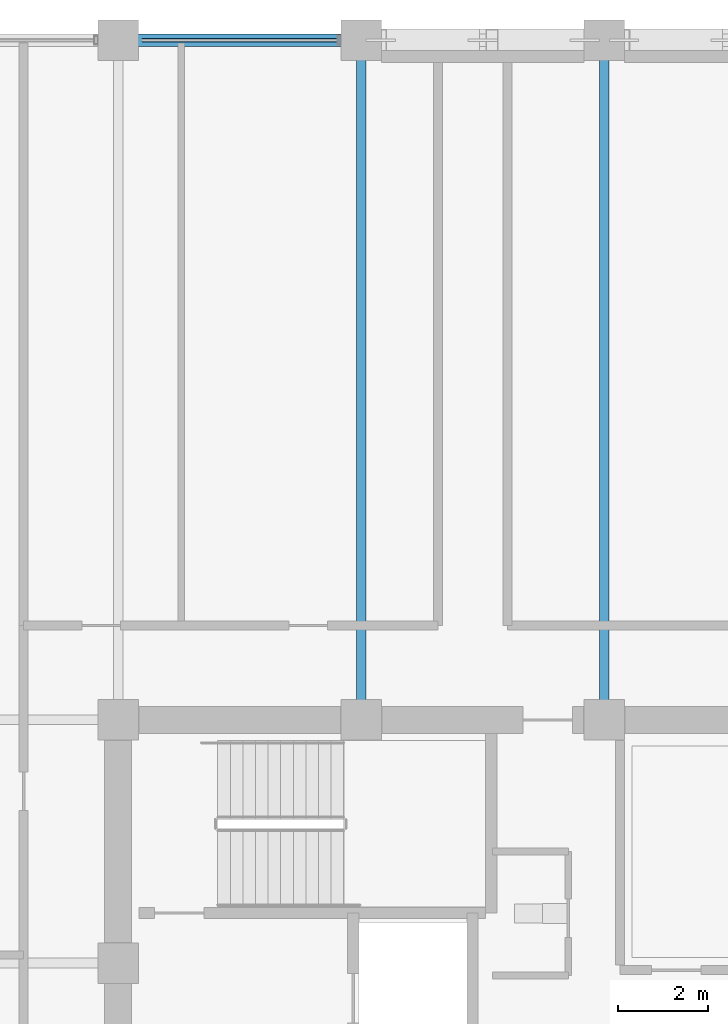
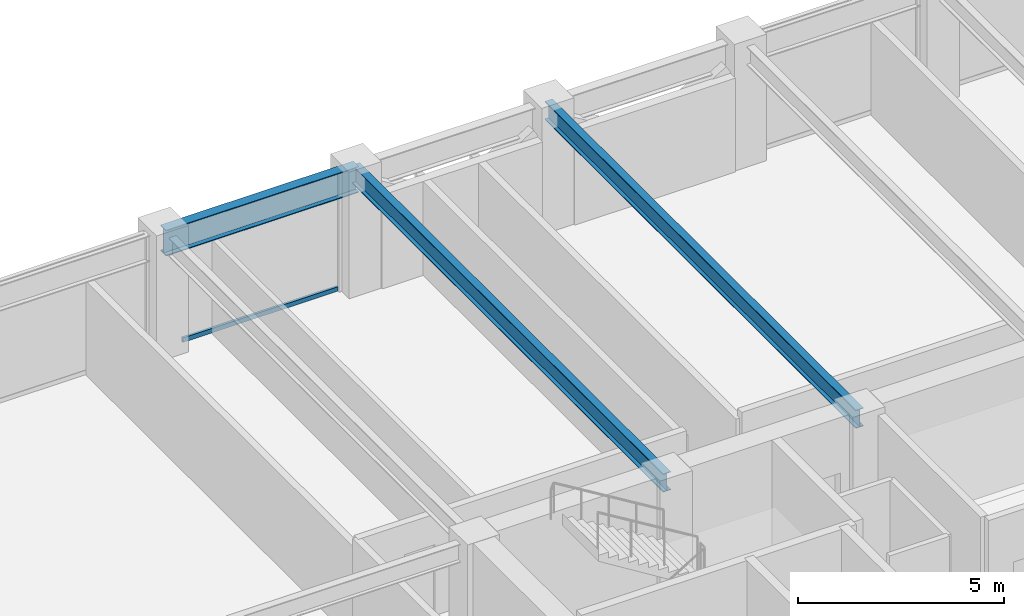
# One storey, part 20 of 32: 3 beams, 1 member, 1 element without a shape of its own.
"""IFC4 building model written with IfcOpenShell, lengths in metres."""

from ifc_helpers import new_model, si_unit, direction, frame, origin, origin_2d, place, context, subcontext, project, spatial, hollow_rectangle, i_section, extrude, material, layer, layer_set, material_profile, profile_set, type_object, element, aggregate, save


model = new_model("IFC4")

# Units and contexts
model_context = context("Model", 3, precision=1e-05, world=origin(), true_north=direction((0.0, 1.0)))
body_context = subcontext(model_context, "Body", "Model", "MODEL_VIEW")
ifc_project = project(units=[si_unit("LENGTHUNIT", "METRE"), si_unit("AREAUNIT", "SQUARE_METRE"), si_unit("VOLUMEUNIT", "CUBIC_METRE"), si_unit("PLANEANGLEUNIT", "RADIAN"), si_unit("MASSUNIT", "GRAM", prefix="KILO")], contexts=[model_context])

# Site, building, storey
site_placement = place(None, origin())
site = spatial("IfcSite", under=ifc_project, at=site_placement, CompositionType="ELEMENT")
building_placement = place(site_placement, origin())
building = spatial("IfcBuilding", under=site, at=building_placement, Name="Surkhivell Harbour Commons", CompositionType="ELEMENT")
storey_placement = place(building_placement, frame((0.0, 0.0, 204.75)))
storey = spatial("IfcBuildingStorey", under=building, at=storey_placement, Name="L53", CompositionType="ELEMENT", Elevation=204.75)

# Beams
ifc_material_1 = material(Name="Steel S355", Category="steel")
ifc_material_profile_1 = material_profile(ifc_material_1, i_section(OverallWidth=0.2119140625, OverallDepth=0.5439453125, WebThickness=0.0126953125, FlangeThickness=0.021240234375, at=origin_2d()), Name="UB533x210x122")
ifc_profile_set_1 = profile_set([ifc_material_profile_1], Name="Steel S355")
beam_type_1 = type_object("IfcBeamType", Name="BM-GRD-533A", PredefinedType="BEAM", material=ifc_profile_set_1)
for number, where, z_axis, x_axis, name in (
    (1, (-5.39990234375, 10.800048828125, 3.298095703125), (0.0, 1.0, 0.0), (-1.0, 0.0, 0.0), "L53 Floor Girder (-5.4,10.8)"),
    (2, (0.0, 10.800048828125, 3.298095703125), (0.0, 1.0, 0.0), (-1.0, 0.0, 0.0), "L53 Floor Girder (0.0,10.8)"),
):
    element("IfcBeam", number, at=place(storey_placement, frame(where, z_axis=z_axis, x_axis=x_axis)), inside=storey, type_object=beam_type_1, Name=name, PredefinedType="BEAM", context=body_context, shape_type="SweptSolid", body=[
        extrude(i_section(OverallWidth=0.2119140625, OverallDepth=0.5439453125, WebThickness=0.0126953125, FlangeThickness=0.021240234375, at=origin_2d()), origin(), (0.0, 0.0, 1.0), 15.099853515625),
    ])
ifc_material_profile_2 = material_profile(ifc_material_1, i_section(OverallWidth=0.26806640625, OverallDepth=0.77001953125, WebThickness=0.015625, FlangeThickness=0.025390625, at=origin_2d()), Name="UB762x267x197")
ifc_profile_set_2 = profile_set([ifc_material_profile_2], Name="Steel S355")
beam_type_2 = type_object("IfcBeamType", Name="BM-SPN-762", PredefinedType="SPANDREL", material=ifc_profile_set_2)
beam_placement = place(storey_placement, frame((-10.800048828125, 25.89990234375, 3.18505859375), z_axis=(1.0, 0.0, 0.0), x_axis=(0.0, 1.0, 0.0)))
element("IfcBeam", 3, at=beam_placement, inside=storey, type_object=beam_type_2, Name="L53 Tube Spandrel (-10.8,25.9)", PredefinedType="SPANDREL", context=body_context, shape_type="SweptSolid", body=[
    extrude(i_section(OverallWidth=0.26806640625, OverallDepth=0.77001953125, WebThickness=0.015625, FlangeThickness=0.025390625, at=origin_2d()), origin(), (0.0, 0.0, 1.0), 5.400146484375),
])

# Curtain wall, member
ifc_material_2 = material(Name="Anodised pale-metal aluminium and insulated glazing", Category="aluminium")
ifc_layer = layer(ifc_material_2, 0.18994140625)
ifc_layer_set = layer_set([ifc_layer], Name="Anodised pale-metal aluminium and insulated glazing")
curtain_wall_type = type_object("IfcCurtainWallType", Name="CW-SYS-Z3", PredefinedType="NOTDEFINED", material=ifc_layer_set)
curtain_wall_placement = place(storey_placement, origin())
curtain_wall = element("IfcCurtainWall", 4, at=curtain_wall_placement, inside=storey, type_object=curtain_wall_type, Name="L53 Curtain Wall CW-L53-E07S2", PredefinedType="NOTDEFINED")
ifc_material_3 = material(Name="Champagne anodised aluminium alloy 6063-T6", Category="aluminium")
ifc_material_profile_3 = material_profile(ifc_material_3, hollow_rectangle(XDim=0.070068359375, YDim=0.1298828125, WallThickness=0.00341796875, at=origin_2d()), Name="ALU-TRAN-70x130")
ifc_profile_set_3 = profile_set([ifc_material_profile_3], Name="Champagne anodised aluminium alloy 6063-T6")
member_type = type_object("IfcMemberType", Name="CWT-130", PredefinedType="USERDEFINED", material=ifc_profile_set_3)
member_placement = place(storey_placement, frame((-5.927001953125, 25.89990234375, 0.06494140625), z_axis=(-1.0, 0.0, 0.0), x_axis=(0.0, -1.0, 0.0)))
member = element("IfcMember", 5, at=member_placement, type_object=member_type, Name="CW-Z3 transom 1.1", ObjectType="TRANSOM", PredefinedType="USERDEFINED", context=body_context, shape_type="SweptSolid", body=[
    extrude(hollow_rectangle(XDim=0.070068359375, YDim=0.1298828125, WallThickness=0.00341796875, at=origin_2d()), origin(), (0.0, 0.0, 1.0), 4.345947265625),
])
aggregate(curtain_wall, [member])

save(model, "model.ifc")
